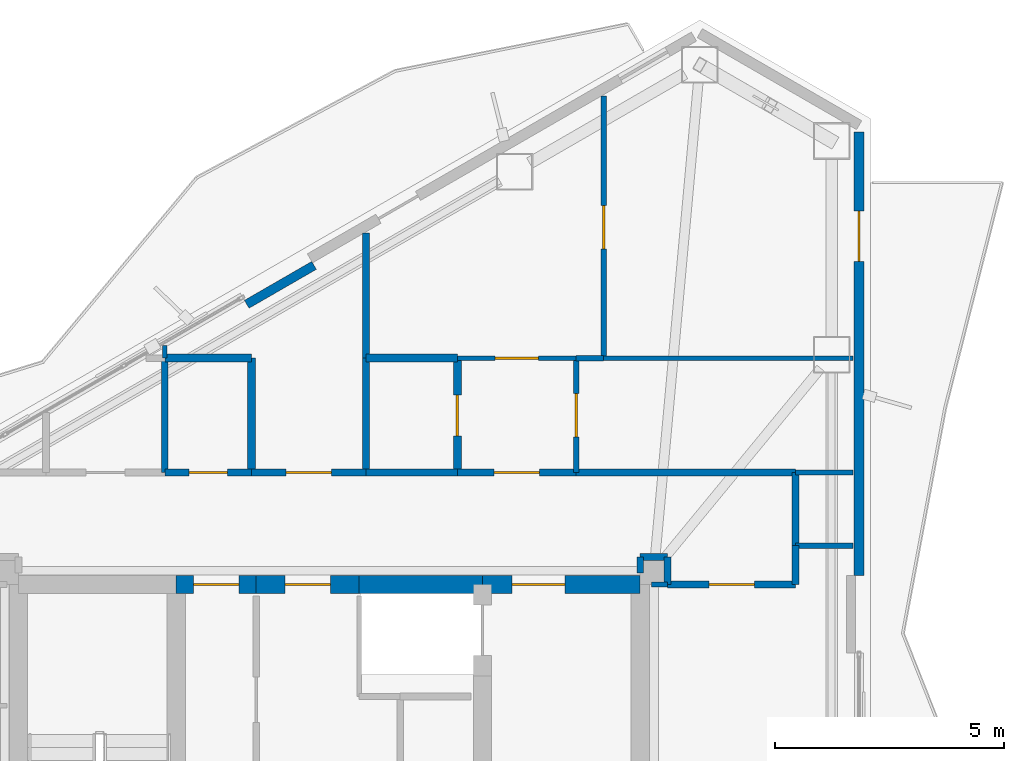
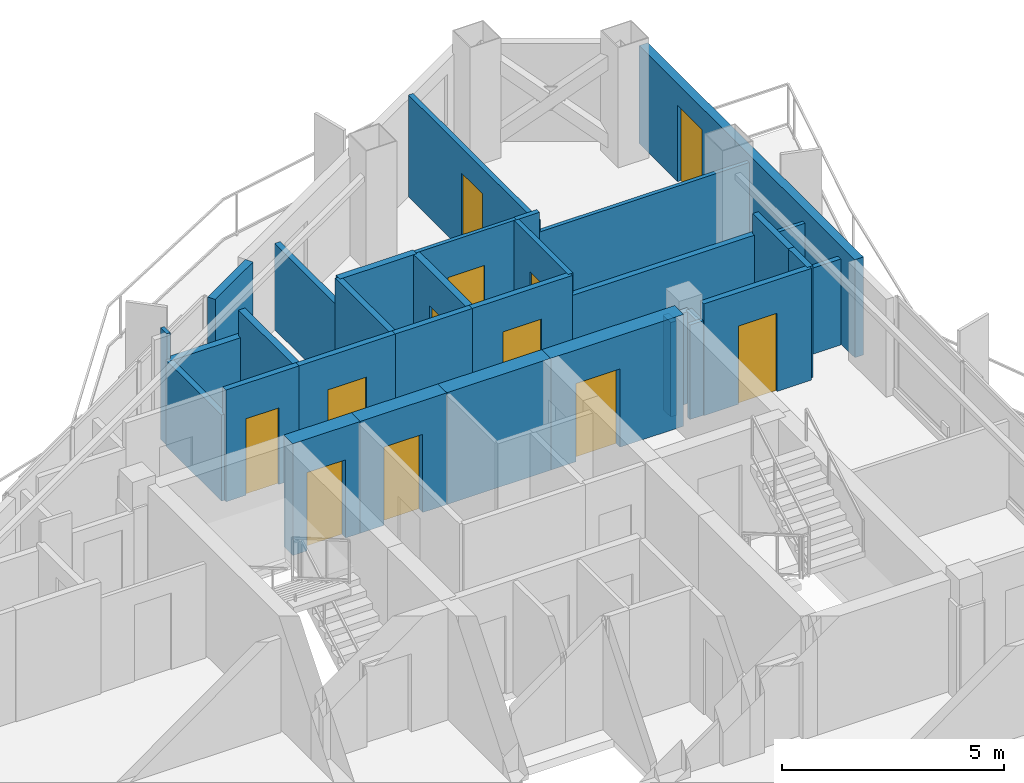
# One storey, part 19 of 22: 33 walls, 12 doors, 12 openings.
"""IFC4 building model written with IfcOpenShell, lengths in metres."""

from ifc_helpers import new_model, si_unit, direction, frame, frame_2d, origin, place, context, subcontext, project, spatial, rectangle, extrude, material, layer, layer_set, type_object, element, fill, save


model = new_model("IFC4")

# Units and contexts
model_context = context("Model", 3, precision=1e-05, world=origin(), true_north=direction((0.0, 1.0)))
body_context = subcontext(model_context, "Body", "Model", "MODEL_VIEW")
ifc_project = project(units=[si_unit("LENGTHUNIT", "METRE"), si_unit("AREAUNIT", "SQUARE_METRE"), si_unit("VOLUMEUNIT", "CUBIC_METRE"), si_unit("PLANEANGLEUNIT", "RADIAN"), si_unit("MASSUNIT", "GRAM", prefix="KILO")], contexts=[model_context])

# Site, building, storey
site_placement = place(None, origin())
site = spatial("IfcSite", under=ifc_project, at=site_placement, CompositionType="ELEMENT")
building_placement = place(site_placement, origin())
building = spatial("IfcBuilding", under=site, at=building_placement, Name="Mersakhor Tower and Convention Hall", CompositionType="ELEMENT")
storey_placement = place(building_placement, frame((0.0, 0.0, 198.60009765625)))
storey = spatial("IfcBuildingStorey", under=building, at=storey_placement, Name="L55", CompositionType="ELEMENT", Elevation=198.60009765625)

# Wall, opening, door
ifc_material_1 = material(Name="Precast concrete C40/50", Category="concrete")
ifc_layer_1 = layer(ifc_material_1, 0.22509765625)
ifc_layer_set_1 = layer_set([ifc_layer_1], Name="Precast concrete C40/50")
wall_type_1 = type_object("IfcWallType", Name="WL-EXT-225", PredefinedType="SOLIDWALL", material=ifc_layer_set_1)
wall_1_placement = place(storey_placement, frame((40.58837890625, 42.6484375, 0.0), z_axis=(0.0, 0.0, 1.0), x_axis=(0.0, -1.0, 0.0)))
wall_1 = element("IfcWall", 1, at=wall_1_placement, inside=storey, type_object=wall_type_1, Name="L55 Exterior Facade Wall F2-B1", PredefinedType="SOLIDWALL", context=body_context, shape_type="SweptSolid", body=[
    extrude(rectangle(XDim=9.698974609375, YDim=0.22509765625, at=frame_2d((4.849609375, 0.0))), origin(), (0.0, 0.0, 1.0), 2.68994140625),
])
opening_1_placement = place(wall_1_placement, frame((1.72998046875, 0.0, 0.0)))
opening_1 = element("IfcOpeningElement", 2, at=opening_1_placement, cuts=wall_1, Name="Opening BD-02", PredefinedType="OPENING", context=body_context, shape_type="SweptSolid", body=[
    extrude(rectangle(XDim=1.10009765625, YDim=2.10009765625, at=frame_2d((0.550048828125, 1.050048828125))), frame((0.0, 0.12255859375, 0.0), z_axis=(0.0, -1.0, 0.0), x_axis=(1.0, 0.0, 0.0)), (0.0, 0.0, 1.0), 0.2451171875),
])
ifc_material_2 = material(Name="Thermally broken dark aluminium and safety glass", Category="aluminium")
door_type_1 = type_object("IfcDoorType", Name="DR-BAL-110x210", OperationType="NOTDEFINED", PredefinedType="DOOR", material=ifc_material_2)
door_1_placement = place(opening_1_placement, origin())
door_1 = element("IfcDoor", 3, at=door_1_placement, inside=storey, type_object=door_type_1, Name="L55 Balcony Terrace Door F2-B1", OperationType="SINGLE_SWING_RIGHT", OverallHeight=2.10009765625, OverallWidth=1.10009765625, PredefinedType="DOOR", context=body_context, shape_type="SweptSolid", body=[
    extrude(rectangle(XDim=1.10009765625, YDim=2.10009765625, at=frame_2d((0.550048828125, 1.050048828125))), frame((0.0, 0.02490234375, 0.0), z_axis=(0.0, -1.0, 0.0), x_axis=(1.0, 0.0, 0.0)), (0.0, 0.0, 1.0), 0.050048828125),
])
fill(opening_1, door_1)

# Wall
ifc_material_3 = material(Name="Precast concrete C40/50", Category="concrete")
ifc_layer_2 = layer(ifc_material_3, 0.199951171875)
ifc_layer_set_2 = layer_set([ifc_layer_2], Name="Precast concrete C40/50")
wall_type_2 = type_object("IfcWallType", Name="WL-PAR-200", PredefinedType="PARAPET", material=ifc_layer_set_2)
wall_2_placement = place(storey_placement, frame((27.1923828125, 38.879638671875, 0.0), z_axis=(0.0, 0.0, 1.0), x_axis=(0.866025371046, 0.500000056704, 0.0)))
element("IfcWall", 4, at=wall_2_placement, inside=storey, type_object=wall_type_2, Name="L55 Column Pier Cladding Wall F1-C2", PredefinedType="PARAPET", context=body_context, shape_type="SweptSolid", body=[
    extrude(rectangle(XDim=1.7001953125, YDim=0.199951171875, at=frame_2d((0.85009765625, 0.0))), origin(), (0.0, 0.0, 1.0), 2.68994140625),
])

# Wall, opening, door
ifc_material_4 = material(Name="Moisture-resistant acoustic drywall studwork", Category="other")
ifc_layer_3 = layer(ifc_material_4, 0.175048828125)
ifc_layer_set_3 = layer_set([ifc_layer_3], Name="Moisture-resistant acoustic drywall studwork")
wall_type_3 = type_object("IfcWallType", Name="WL-PLM-175", PredefinedType="PLUMBINGWALL", material=ifc_layer_set_3)
wall_3_placement = place(storey_placement, frame((31.800048828125, 35.199951171875, 0.0), z_axis=(0.0, 0.0, 1.0), x_axis=(0.0, 1.0, 0.0)))
wall_3 = element("IfcWall", 5, at=wall_3_placement, inside=storey, type_object=wall_type_3, Name="L55 Interior Partition Wall P-052", PredefinedType="PLUMBINGWALL", context=body_context, shape_type="SweptSolid", body=[
    extrude(rectangle(XDim=2.5, YDim=0.175048828125, at=frame_2d((1.25, 0.0))), origin(), (0.0, 0.0, 1.0), 3.06982421875),
])
opening_2_placement = place(wall_3_placement, frame((0.800048828125, 0.0, 0.0)))
opening_2 = element("IfcOpeningElement", 6, at=opening_2_placement, cuts=wall_3, Name="Opening WD-01", PredefinedType="OPENING", context=body_context, shape_type="SweptSolid", body=[
    extrude(rectangle(XDim=0.89990234375, YDim=2.10009765625, at=frame_2d((0.449951171875, 1.050048828125))), frame((0.0, 0.097412109375, 0.0), z_axis=(0.0, -1.0, 0.0), x_axis=(1.0, 0.0, 0.0)), (0.0, 0.0, 1.0), 0.195068359375),
])
ifc_material_5 = material(Name="Solid-core hardwood leaf in painted steel frame", Category="steel")
door_type_2 = type_object("IfcDoorType", Name="DR-INT-WET-090x210", OperationType="NOTDEFINED", PredefinedType="DOOR", material=ifc_material_5)
door_2_placement = place(opening_2_placement, origin())
door_2 = element("IfcDoor", 7, at=door_2_placement, inside=storey, type_object=door_type_2, Name="L55 L55 Flat N2 Apartment Hall to L55 Flat N2 Bathroom Door", OperationType="SINGLE_SWING_LEFT", OverallHeight=2.10009765625, OverallWidth=0.89990234375, PredefinedType="DOOR", context=body_context, shape_type="SweptSolid", body=[
    extrude(rectangle(XDim=0.89990234375, YDim=2.10009765625, at=frame_2d((0.449951171875, 1.050048828125))), frame((0.0, 0.02490234375, 0.0), z_axis=(0.0, -1.0, 0.0), x_axis=(1.0, 0.0, 0.0)), (0.0, 0.0, 1.0), 0.050048828125),
])
fill(opening_2, door_2)

# Walls
wall_4_placement = place(storey_placement, frame((25.39990234375, 37.699951171875, 0.0), z_axis=(0.0, 0.0, 1.0), x_axis=(1.0, 0.0, 0.0)))
element("IfcWall", 8, at=wall_4_placement, inside=storey, type_object=wall_type_3, Name="L55 Interior Partition Wall P-063", PredefinedType="PLUMBINGWALL", context=body_context, shape_type="SweptSolid", body=[
    extrude(rectangle(XDim=1.900146484375, YDim=0.175048828125, at=frame_2d((0.9501953125, 0.0))), origin(), (0.0, 0.0, 1.0), 2.364990234375),
])
wall_5_placement = place(storey_placement, frame((27.300048828125, 37.699951171875, 0.0), z_axis=(0.0, 0.0, 1.0), x_axis=(0.0, -1.0, 0.0)))
element("IfcWall", 9, at=wall_5_placement, inside=storey, type_object=wall_type_3, Name="L55 Interior Partition Wall P-064", PredefinedType="PLUMBINGWALL", context=body_context, shape_type="SweptSolid", body=[
    extrude(rectangle(XDim=2.5, YDim=0.175048828125, at=frame_2d((1.25, 0.0))), origin(), (0.0, 0.0, 1.0), 3.06982421875),
])
wall_6_placement = place(storey_placement, frame((29.800048828125, 37.699951171875, 0.0), z_axis=(0.0, 0.0, 1.0), x_axis=(1.0, 0.0, 0.0)))
element("IfcWall", 10, at=wall_6_placement, inside=storey, type_object=wall_type_3, Name="L55 Interior Partition Wall P-066", PredefinedType="PLUMBINGWALL", context=body_context, shape_type="SweptSolid", body=[
    extrude(rectangle(XDim=2.0, YDim=0.175048828125, at=frame_2d((1.0, 0.0))), origin(), (0.0, 0.0, 1.0), 3.06982421875),
])

# Wall, opening, door
ifc_material_6 = material(Name="Lightweight gypsum partition", Category="other")
ifc_layer_4 = layer(ifc_material_6, 0.10009765625)
ifc_layer_set_4 = layer_set([ifc_layer_4], Name="Lightweight gypsum partition")
wall_type_4 = type_object("IfcWallType", Name="WL-PRT-100", PredefinedType="PARTITIONING", material=ifc_layer_set_4)
wall_7_placement = place(storey_placement, frame((31.800048828125, 37.699951171875, 0.0), z_axis=(0.0, 0.0, 1.0), x_axis=(1.0, 0.0, 0.0)))
wall_7 = element("IfcWall", 11, at=wall_7_placement, inside=storey, type_object=wall_type_4, Name="L55 Interior Partition Wall P-050", PredefinedType="PARTITIONING", context=body_context, shape_type="SweptSolid", body=[
    extrude(rectangle(XDim=2.599853515625, YDim=0.10009765625, at=frame_2d((1.2998046875, 0.0))), origin(), (0.0, 0.0, 1.0), 3.06982421875),
])
opening_3_placement = place(wall_7_placement, frame((0.824951171875, 0.0, 0.0)))
opening_3 = element("IfcOpeningElement", 12, at=opening_3_placement, cuts=wall_7, Name="Opening RD-01", PredefinedType="OPENING", context=body_context, shape_type="SweptSolid", body=[
    extrude(rectangle(XDim=0.949951171875, YDim=2.10009765625, at=frame_2d((0.47509765625, 1.050048828125))), frame((0.0, 0.06005859375, 0.0), z_axis=(0.0, -1.0, 0.0), x_axis=(1.0, 0.0, 0.0)), (0.0, 0.0, 1.0), 0.1201171875),
])
ifc_material_7 = material(Name="Solid-core hardwood leaf in painted steel frame", Category="steel")
door_type_3 = type_object("IfcDoorType", Name="DR-INT-RM-095x210", OperationType="NOTDEFINED", PredefinedType="DOOR", material=ifc_material_7)
door_3_placement = place(opening_3_placement, origin())
door_3 = element("IfcDoor", 13, at=door_3_placement, inside=storey, type_object=door_type_3, Name="L55 L55 Flat N2 Apartment Hall to L55 Flat N2 Living and Dining Room Door", OperationType="SINGLE_SWING_LEFT", OverallHeight=2.10009765625, OverallWidth=0.949951171875, PredefinedType="DOOR", context=body_context, shape_type="SweptSolid", body=[
    extrude(rectangle(XDim=0.949951171875, YDim=2.10009765625, at=frame_2d((0.47509765625, 1.050048828125))), frame((0.0, 0.02490234375, 0.0), z_axis=(0.0, -1.0, 0.0), x_axis=(1.0, 0.0, 0.0)), (0.0, 0.0, 1.0), 0.050048828125),
])
fill(opening_3, door_3)

# Walls
wall_8_placement = place(storey_placement, frame((40.451904296875, 35.199951171875, 0.0), z_axis=(0.0, 0.0, 1.0), x_axis=(-1.0, 0.0, 0.0)))
element("IfcWall", 14, at=wall_8_placement, inside=storey, type_object=wall_type_4, Name="L55 Interior Partition Wall P-068", PredefinedType="PARTITIONING", context=body_context, shape_type="SweptSolid", body=[
    extrude(rectangle(XDim=1.251953125, YDim=0.10009765625, at=frame_2d((0.6259765625, 0.0))), origin(), (0.0, 0.0, 1.0), 2.364990234375),
])
wall_9_placement = place(storey_placement, frame((35.0, 37.699951171875, 0.0), z_axis=(0.0, 0.0, 1.0), x_axis=(1.0, 0.0, 0.0)))
element("IfcWall", 15, at=wall_9_placement, inside=storey, type_object=wall_type_4, Name="L55 Interior Partition Wall P-070", PredefinedType="PARTITIONING", context=body_context, shape_type="SweptSolid", body=[
    extrude(rectangle(XDim=5.451904296875, YDim=0.10009765625, at=frame_2d((2.72607421875, 0.0))), origin(), (0.0, 0.0, 1.0), 2.518310546875),
])
wall_10_placement = place(storey_placement, frame((36.050048828125, 32.75, 0.0), z_axis=(0.0, 0.0, 1.0), x_axis=(1.0, 0.0, 0.0)))
element("IfcWall", 16, at=wall_10_placement, inside=storey, type_object=wall_type_4, Name="L55 Interior Partition Wall P-090", PredefinedType="PARTITIONING", context=body_context, shape_type="SweptSolid", body=[
    extrude(rectangle(XDim=0.349853515625, YDim=0.10009765625, at=frame_2d((0.1748046875, 0.0))), origin(), (0.0, 0.0, 1.0), 2.594970703125),
])
wall_11_placement = place(storey_placement, frame((25.39990234375, 37.699951171875, 0.0), z_axis=(0.0, 0.0, 1.0), x_axis=(0.0, 1.0, 0.0)))
element("IfcWall", 17, at=wall_11_placement, inside=storey, type_object=wall_type_4, Name="L55 Interior Partition Wall P-098", PredefinedType="PARTITIONING", context=body_context, shape_type="SweptSolid", body=[
    extrude(rectangle(XDim=0.27880859375, YDim=0.10009765625, at=frame_2d((0.139404296875, 0.0))), origin(), (0.0, 0.0, 1.0), 3.06982421875),
])

# Wall, opening, door
ifc_material_8 = material(Name="Gypsum board acoustic partition", Category="other")
ifc_layer_5 = layer(ifc_material_8, 0.125)
ifc_layer_set_5 = layer_set([ifc_layer_5], Name="Gypsum board acoustic partition")
wall_type_5 = type_object("IfcWallType", Name="WL-PRT-125", PredefinedType="PARTITIONING", material=ifc_layer_set_5)
wall_12_placement = place(storey_placement, frame((34.39990234375, 37.699951171875, 0.0), z_axis=(0.0, 0.0, 1.0), x_axis=(0.0, -1.0, 0.0)))
wall_12 = element("IfcWall", 18, at=wall_12_placement, inside=storey, type_object=wall_type_5, Name="L55 Interior Partition Wall P-051", PredefinedType="PARTITIONING", context=body_context, shape_type="SweptSolid", body=[
    extrude(rectangle(XDim=2.5, YDim=0.125, at=frame_2d((1.25, 0.0))), origin(), (0.0, 0.0, 1.0), 3.06982421875),
])
opening_4_placement = place(wall_12_placement, frame((0.77490234375, 0.0, 0.0)))
opening_4 = element("IfcOpeningElement", 19, at=opening_4_placement, cuts=wall_12, Name="Opening RD-01", PredefinedType="OPENING", context=body_context, shape_type="SweptSolid", body=[
    extrude(rectangle(XDim=0.949951171875, YDim=2.10009765625, at=frame_2d((0.47509765625, 1.050048828125))), frame((0.0, 0.072509765625, 0.0), z_axis=(0.0, -1.0, 0.0), x_axis=(1.0, 0.0, 0.0)), (0.0, 0.0, 1.0), 0.14501953125),
])
door_4_placement = place(opening_4_placement, origin())
door_4 = element("IfcDoor", 20, at=door_4_placement, inside=storey, type_object=door_type_3, Name="L55 L55 Flat N2 Apartment Hall to L55 Flat N2 Kitchen Door", OperationType="SINGLE_SWING_RIGHT", OverallHeight=2.10009765625, OverallWidth=0.949951171875, PredefinedType="DOOR", context=body_context, shape_type="SweptSolid", body=[
    extrude(rectangle(XDim=0.949951171875, YDim=2.10009765625, at=frame_2d((0.47509765625, 1.050048828125))), frame((0.0, 0.02490234375, 0.0), z_axis=(0.0, -1.0, 0.0), x_axis=(1.0, 0.0, 0.0)), (0.0, 0.0, 1.0), 0.050048828125),
])
fill(opening_4, door_4)

# Walls
wall_13_placement = place(storey_placement, frame((34.39990234375, 37.699951171875, 0.0), z_axis=(0.0, 0.0, 1.0), x_axis=(1.0, 0.0, 0.0)))
element("IfcWall", 21, at=wall_13_placement, inside=storey, type_object=wall_type_5, Name="L55 Interior Partition Wall P-069", PredefinedType="PARTITIONING", context=body_context, shape_type="SweptSolid", body=[
    extrude(rectangle(XDim=0.60009765625, YDim=0.125, at=frame_2d((0.300048828125, 0.0))), origin(), (0.0, 0.0, 1.0), 3.06982421875),
])
wall_14_placement = place(storey_placement, frame((39.199951171875, 33.60009765625, 0.0), z_axis=(0.0, 0.0, 1.0), x_axis=(1.0, 0.0, 0.0)))
element("IfcWall", 22, at=wall_14_placement, inside=storey, type_object=wall_type_5, Name="L55 Interior Partition Wall P-091", PredefinedType="PARTITIONING", context=body_context, shape_type="SweptSolid", body=[
    extrude(rectangle(XDim=1.251953125, YDim=0.125, at=frame_2d((0.6259765625, 0.0))), origin(), (0.0, 0.0, 1.0), 2.364990234375),
])

# Wall, opening, door
wall_15_placement = place(storey_placement, frame((35.0, 43.4375, 0.0), z_axis=(0.0, 0.0, 1.0), x_axis=(0.0, -1.0, 0.0)))
wall_15 = element("IfcWall", 23, at=wall_15_placement, inside=storey, type_object=wall_type_5, Name="L55 Interior Partition Wall P-099", PredefinedType="PARTITIONING", context=body_context, shape_type="SweptSolid", body=[
    extrude(rectangle(XDim=5.737548828125, YDim=0.125, at=frame_2d((2.86865234375, 0.0))), origin(), (0.0, 0.0, 1.0), 2.794677734375),
])
opening_5_placement = place(wall_15_placement, frame((2.393798828125, 0.0, 0.0)))
opening_5 = element("IfcOpeningElement", 24, at=opening_5_placement, cuts=wall_15, Name="Opening RD-01", PredefinedType="OPENING", context=body_context, shape_type="SweptSolid", body=[
    extrude(rectangle(XDim=0.949951171875, YDim=2.10009765625, at=frame_2d((0.47509765625, 1.050048828125))), frame((0.0, 0.072509765625, 0.0), z_axis=(0.0, -1.0, 0.0), x_axis=(1.0, 0.0, 0.0)), (0.0, 0.0, 1.0), 0.14501953125),
])
door_5_placement = place(opening_5_placement, origin())
door_5 = element("IfcDoor", 25, at=door_5_placement, inside=storey, type_object=door_type_3, Name="L55 L55 Flat N2 Living and Dining Room to L55 Flat N2 Bedroom 1 Door", OperationType="SINGLE_SWING_RIGHT", OverallHeight=2.10009765625, OverallWidth=0.949951171875, PredefinedType="DOOR", context=body_context, shape_type="SweptSolid", body=[
    extrude(rectangle(XDim=0.949951171875, YDim=2.10009765625, at=frame_2d((0.47509765625, 1.050048828125))), frame((0.0, 0.02490234375, 0.0), z_axis=(0.0, -1.0, 0.0), x_axis=(1.0, 0.0, 0.0)), (0.0, 0.0, 1.0), 0.050048828125),
])
fill(opening_5, door_5)

# Walls
ifc_material_9 = material(Name="Fire-rated gypsum board stud partition", Category="other")
ifc_layer_6 = layer(ifc_material_9, 0.14990234375)
ifc_layer_set_6 = layer_set([ifc_layer_6], Name="Fire-rated gypsum board stud partition")
wall_type_6 = type_object("IfcWallType", Name="WL-PRT-150", PredefinedType="PARTITIONING", material=ifc_layer_set_6)
wall_16_placement = place(storey_placement, frame((39.199951171875, 35.199951171875, 0.0), z_axis=(0.0, 0.0, 1.0), x_axis=(0.0, -1.0, 0.0)))
element("IfcWall", 26, at=wall_16_placement, inside=storey, type_object=wall_type_6, Name="L55 Interior Partition Wall P-016", PredefinedType="PARTITIONING", context=body_context, shape_type="SweptSolid", body=[
    extrude(rectangle(XDim=1.599853515625, YDim=0.14990234375, at=frame_2d((0.7998046875, 0.0))), origin(), (0.0, 0.0, 1.0), 3.06982421875),
])
wall_17_placement = place(storey_placement, frame((39.199951171875, 33.60009765625, 0.0), z_axis=(0.0, 0.0, 1.0), x_axis=(0.0, -1.0, 0.0)))
element("IfcWall", 27, at=wall_17_placement, inside=storey, type_object=wall_type_6, Name="L55 Interior Partition Wall P-017", PredefinedType="PARTITIONING", context=body_context, shape_type="SweptSolid", body=[
    extrude(rectangle(XDim=0.85009765625, YDim=0.14990234375, at=frame_2d((0.425048828125, 0.0))), origin(), (0.0, 0.0, 1.0), 3.06982421875),
])

# Wall, opening, door
wall_18_placement = place(storey_placement, frame((39.199951171875, 32.75, 0.0), z_axis=(0.0, 0.0, 1.0), x_axis=(-1.0, 0.0, 0.0)))
wall_18 = element("IfcWall", 28, at=wall_18_placement, inside=storey, type_object=wall_type_6, Name="L55 Interior Partition Wall P-018", PredefinedType="PARTITIONING", context=body_context, shape_type="SweptSolid", body=[
    extrude(rectangle(XDim=2.800048828125, YDim=0.14990234375, at=frame_2d((1.39990234375, 0.0))), origin(), (0.0, 0.0, 1.0), 3.06982421875),
])
opening_6_placement = place(wall_18_placement, frame((0.89990234375, 0.0, 0.0)))
opening_6 = element("IfcOpeningElement", 29, at=opening_6_placement, cuts=wall_18, Name="Opening FD-01", PredefinedType="OPENING", context=body_context, shape_type="SweptSolid", body=[
    extrude(rectangle(XDim=1.0, YDim=2.14990234375, at=frame_2d((0.5, 1.074951171875))), frame((0.0, 0.0849609375, 0.0), z_axis=(0.0, -1.0, 0.0), x_axis=(1.0, 0.0, 0.0)), (0.0, 0.0, 1.0), 0.169921875),
])
ifc_material_10 = material(Name="Fire-rated hardwood leaf and painted steel frame", Category="steel")
door_type_4 = type_object("IfcDoorType", Name="DR-INT-FLT-100x215", OperationType="NOTDEFINED", PredefinedType="DOOR", material=ifc_material_10)
door_6_placement = place(opening_6_placement, origin())
door_6 = element("IfcDoor", 30, at=door_6_placement, inside=storey, type_object=door_type_4, Name="L55 Residential North Gallery Corridor to L55 East Wing Sky Study Room Door", OperationType="SINGLE_SWING_RIGHT", OverallHeight=2.14990234375, OverallWidth=1.0, PredefinedType="DOOR", context=body_context, shape_type="SweptSolid", body=[
    extrude(rectangle(XDim=1.0, YDim=2.14990234375, at=frame_2d((0.5, 1.074951171875))), frame((0.0, 0.02490234375, 0.0), z_axis=(0.0, -1.0, 0.0), x_axis=(1.0, 0.0, 0.0)), (0.0, 0.0, 1.0), 0.050048828125),
])
fill(opening_6, door_6)

# Walls
wall_19_placement = place(storey_placement, frame((36.39990234375, 32.75, 0.0), z_axis=(0.0, 0.0, 1.0), x_axis=(0.0, 1.0, 0.0)))
element("IfcWall", 31, at=wall_19_placement, inside=storey, type_object=wall_type_6, Name="L55 Interior Partition Wall P-019", PredefinedType="PARTITIONING", context=body_context, shape_type="SweptSolid", body=[
    extrude(rectangle(XDim=0.60009765625, YDim=0.14990234375, at=frame_2d((0.300048828125, 0.0))), origin(), (0.0, 0.0, 1.0), 2.518310546875),
])
wall_20_placement = place(storey_placement, frame((36.39990234375, 33.35009765625, 0.0), z_axis=(0.0, 0.0, 1.0), x_axis=(-1.0, 0.0, 0.0)))
element("IfcWall", 32, at=wall_20_placement, inside=storey, type_object=wall_type_6, Name="L55 Interior Partition Wall P-020", PredefinedType="PARTITIONING", context=body_context, shape_type="SweptSolid", body=[
    extrude(rectangle(XDim=0.599853515625, YDim=0.14990234375, at=frame_2d((0.2998046875, 0.0))), origin(), (0.0, 0.0, 1.0), 2.518310546875),
])
wall_21_placement = place(storey_placement, frame((35.800048828125, 33.35009765625, 0.0), z_axis=(0.0, 0.0, 1.0), x_axis=(0.0, -1.0, 0.0)))
element("IfcWall", 33, at=wall_21_placement, inside=storey, type_object=wall_type_6, Name="L55 Interior Partition Wall P-021", PredefinedType="PARTITIONING", context=body_context, shape_type="SweptSolid", body=[
    extrude(rectangle(XDim=0.35009765625, YDim=0.14990234375, at=frame_2d((0.175048828125, 0.0))), origin(), (0.0, 0.0, 1.0), 2.594970703125),
])

# Wall, opening, door
wall_22_placement = place(storey_placement, frame((25.39990234375, 35.199951171875, 0.0), z_axis=(0.0, 0.0, 1.0), x_axis=(1.0, 0.0, 0.0)))
wall_22 = element("IfcWall", 34, at=wall_22_placement, inside=storey, type_object=wall_type_6, Name="L55 Interior Partition Wall P-029", PredefinedType="PARTITIONING", context=body_context, shape_type="SweptSolid", body=[
    extrude(rectangle(XDim=1.900146484375, YDim=0.14990234375, at=frame_2d((0.9501953125, 0.0))), origin(), (0.0, 0.0, 1.0), 3.06982421875),
])
opening_7_placement = place(wall_22_placement, frame((0.52490234375, 0.0, 0.0)))
opening_7 = element("IfcOpeningElement", 35, at=opening_7_placement, cuts=wall_22, Name="Opening SVD-01", PredefinedType="OPENING", context=body_context, shape_type="SweptSolid", body=[
    extrude(rectangle(XDim=0.85009765625, YDim=2.10009765625, at=frame_2d((0.425048828125, 1.050048828125))), frame((0.0, 0.0849609375, 0.0), z_axis=(0.0, -1.0, 0.0), x_axis=(1.0, 0.0, 0.0)), (0.0, 0.0, 1.0), 0.169921875),
])
ifc_material_11 = material(Name="Fire-rated hardwood leaf and painted steel frame", Category="steel")
door_type_5 = type_object("IfcDoorType", Name="DR-INT-SVC-085x210", OperationType="NOTDEFINED", PredefinedType="DOOR", material=ifc_material_11)
door_7_placement = place(opening_7_placement, origin())
door_7 = element("IfcDoor", 36, at=door_7_placement, inside=storey, type_object=door_type_5, Name="L55 Residential North Gallery Corridor to L55 Floor Shared Restroom WC 1-2 Door", OperationType="SINGLE_SWING_RIGHT", OverallHeight=2.10009765625, OverallWidth=0.85009765625, PredefinedType="DOOR", context=body_context, shape_type="SweptSolid", body=[
    extrude(rectangle(XDim=0.85009765625, YDim=2.10009765625, at=frame_2d((0.425048828125, 1.050048828125))), frame((0.0, 0.02490234375, 0.0), z_axis=(0.0, -1.0, 0.0), x_axis=(1.0, 0.0, 0.0)), (0.0, 0.0, 1.0), 0.050048828125),
])
fill(opening_7, door_7)

wall_23_placement = place(storey_placement, frame((27.300048828125, 35.199951171875, 0.0), z_axis=(0.0, 0.0, 1.0), x_axis=(1.0, 0.0, 0.0)))
wall_23 = element("IfcWall", 37, at=wall_23_placement, inside=storey, type_object=wall_type_6, Name="L55 Interior Partition Wall P-030", PredefinedType="PARTITIONING", context=body_context, shape_type="SweptSolid", body=[
    extrude(rectangle(XDim=2.5, YDim=0.14990234375, at=frame_2d((1.25, 0.0))), origin(), (0.0, 0.0, 1.0), 3.06982421875),
])
opening_8_placement = place(wall_23_placement, frame((0.75, 0.0, 0.0)))
opening_8 = element("IfcOpeningElement", 38, at=opening_8_placement, cuts=wall_23, Name="Opening FD-01", PredefinedType="OPENING", context=body_context, shape_type="SweptSolid", body=[
    extrude(rectangle(XDim=1.0, YDim=2.14990234375, at=frame_2d((0.5, 1.074951171875))), frame((0.0, 0.0849609375, 0.0), z_axis=(0.0, -1.0, 0.0), x_axis=(1.0, 0.0, 0.0)), (0.0, 0.0, 1.0), 0.169921875),
])
door_8_placement = place(opening_8_placement, origin())
door_8 = element("IfcDoor", 39, at=door_8_placement, inside=storey, type_object=door_type_4, Name="L55 Residential North Gallery Corridor to L55 Floor Residents Study Room 1-3 Door", OperationType="SINGLE_SWING_RIGHT", OverallHeight=2.14990234375, OverallWidth=1.0, PredefinedType="DOOR", context=body_context, shape_type="SweptSolid", body=[
    extrude(rectangle(XDim=1.0, YDim=2.14990234375, at=frame_2d((0.5, 1.074951171875))), frame((0.0, 0.02490234375, 0.0), z_axis=(0.0, -1.0, 0.0), x_axis=(1.0, 0.0, 0.0)), (0.0, 0.0, 1.0), 0.050048828125),
])
fill(opening_8, door_8)

# Wall
wall_24_placement = place(storey_placement, frame((29.800048828125, 35.199951171875, 0.0), z_axis=(0.0, 0.0, 1.0), x_axis=(1.0, 0.0, 0.0)))
element("IfcWall", 40, at=wall_24_placement, inside=storey, type_object=wall_type_6, Name="L55 Interior Partition Wall P-031", PredefinedType="PARTITIONING", context=body_context, shape_type="SweptSolid", body=[
    extrude(rectangle(XDim=2.0, YDim=0.14990234375, at=frame_2d((1.0, 0.0))), origin(), (0.0, 0.0, 1.0), 3.06982421875),
])

# Wall, opening, door
wall_25_placement = place(storey_placement, frame((31.800048828125, 35.199951171875, 0.0), z_axis=(0.0, 0.0, 1.0), x_axis=(1.0, 0.0, 0.0)))
wall_25 = element("IfcWall", 41, at=wall_25_placement, inside=storey, type_object=wall_type_6, Name="L55 Interior Partition Wall P-032", PredefinedType="PARTITIONING", context=body_context, shape_type="SweptSolid", body=[
    extrude(rectangle(XDim=2.599853515625, YDim=0.14990234375, at=frame_2d((1.2998046875, 0.0))), origin(), (0.0, 0.0, 1.0), 3.06982421875),
])
opening_9_placement = place(wall_25_placement, frame((0.800048828125, 0.0, 0.0)))
opening_9 = element("IfcOpeningElement", 42, at=opening_9_placement, cuts=wall_25, Name="Opening FD-01", PredefinedType="OPENING", context=body_context, shape_type="SweptSolid", body=[
    extrude(rectangle(XDim=1.0, YDim=2.14990234375, at=frame_2d((0.5, 1.074951171875))), frame((0.0, 0.0849609375, 0.0), z_axis=(0.0, -1.0, 0.0), x_axis=(1.0, 0.0, 0.0)), (0.0, 0.0, 1.0), 0.169921875),
])
door_9_placement = place(opening_9_placement, origin())
door_9 = element("IfcDoor", 43, at=door_9_placement, inside=storey, type_object=door_type_4, Name="L55 Apartment Entrance Door (Residential North Gallery Corridor to L55 Flat N2 Apartment Hall)", OperationType="SINGLE_SWING_RIGHT", OverallHeight=2.14990234375, OverallWidth=1.0, PredefinedType="DOOR", context=body_context, shape_type="SweptSolid", body=[
    extrude(rectangle(XDim=1.0, YDim=2.14990234375, at=frame_2d((0.5, 1.074951171875))), frame((0.0, 0.02490234375, 0.0), z_axis=(0.0, -1.0, 0.0), x_axis=(1.0, 0.0, 0.0)), (0.0, 0.0, 1.0), 0.050048828125),
])
fill(opening_9, door_9)

# Walls
wall_26_placement = place(storey_placement, frame((34.39990234375, 35.199951171875, 0.0), z_axis=(0.0, 0.0, 1.0), x_axis=(1.0, 0.0, 0.0)))
element("IfcWall", 44, at=wall_26_placement, inside=storey, type_object=wall_type_6, Name="L55 Interior Partition Wall P-033", PredefinedType="PARTITIONING", context=body_context, shape_type="SweptSolid", body=[
    extrude(rectangle(XDim=4.800048828125, YDim=0.14990234375, at=frame_2d((2.39990234375, 0.0))), origin(), (0.0, 0.0, 1.0), 2.518310546875),
])
wall_27_placement = place(storey_placement, frame((25.39990234375, 35.199951171875, 0.0), z_axis=(0.0, 0.0, 1.0), x_axis=(0.0, 1.0, 0.0)))
element("IfcWall", 45, at=wall_27_placement, inside=storey, type_object=wall_type_6, Name="L55 Interior Partition Wall P-065", PredefinedType="PARTITIONING", context=body_context, shape_type="SweptSolid", body=[
    extrude(rectangle(XDim=2.5, YDim=0.14990234375, at=frame_2d((1.25, 0.0))), origin(), (0.0, 0.0, 1.0), 2.364990234375),
])
wall_28_placement = place(storey_placement, frame((29.800048828125, 35.199951171875, 0.0), z_axis=(0.0, 0.0, 1.0), x_axis=(0.0, 1.0, 0.0)))
element("IfcWall", 46, at=wall_28_placement, inside=storey, type_object=wall_type_6, Name="L55 Interior Partition Wall P-067", PredefinedType="PARTITIONING", context=body_context, shape_type="SweptSolid", body=[
    extrude(rectangle(XDim=2.5, YDim=0.14990234375, at=frame_2d((1.25, 0.0))), origin(), (0.0, 0.0, 1.0), 3.06982421875),
])
wall_29_placement = place(storey_placement, frame((29.800048828125, 40.435302734375, 0.0), z_axis=(0.0, 0.0, 1.0), x_axis=(0.0, -1.0, 0.0)))
element("IfcWall", 47, at=wall_29_placement, inside=storey, type_object=wall_type_6, Name="L55 Interior Partition Wall P-097", PredefinedType="PARTITIONING", context=body_context, shape_type="SweptSolid", body=[
    extrude(rectangle(XDim=2.7353515625, YDim=0.14990234375, at=frame_2d((1.36767578125, 0.0))), origin(), (0.0, 0.0, 1.0), 2.364990234375),
])

# Wall, opening, door
ifc_material_12 = material(Name="Concrete C60/75", Category="concrete")
ifc_layer_7 = layer(ifc_material_12, 0.39990234375)
ifc_layer_set_7 = layer_set([ifc_layer_7], Name="Concrete C60/75")
wall_type_7 = type_object("IfcWallType", Name="WL-SHR-400", PredefinedType="SHEAR", material=ifc_layer_set_7)
wall_30_placement = place(storey_placement, frame((25.64990234375, 32.75, 0.0), z_axis=(0.0, 0.0, 1.0), x_axis=(1.0, 0.0, 0.0)))
wall_30 = element("IfcWall", 48, at=wall_30_placement, inside=storey, type_object=wall_type_7, Name="L55 Core Wall CW-N2A", PredefinedType="SHEAR", context=body_context, shape_type="SweptSolid", body=[
    extrude(rectangle(XDim=1.75, YDim=0.39990234375, at=frame_2d((0.875, 0.0))), origin(), (0.0, 0.0, 1.0), 3.06982421875),
])
opening_10_placement = place(wall_30_placement, frame((0.375, 0.0, 0.0)))
opening_10 = element("IfcOpeningElement", 49, at=opening_10_placement, cuts=wall_30, Name="Opening CFD-01", PredefinedType="OPENING", context=body_context, shape_type="SweptSolid", body=[
    extrude(rectangle(XDim=1.0, YDim=2.14990234375, at=frame_2d((0.5, 1.074951171875))), frame((0.0, 0.2099609375, 0.0), z_axis=(0.0, -1.0, 0.0), x_axis=(1.0, 0.0, 0.0)), (0.0, 0.0, 1.0), 0.419921875),
])
ifc_material_13 = material(Name="Fire-rated hardwood leaf and painted steel frame", Category="steel")
door_type_6 = type_object("IfcDoorType", Name="DR-CORE-FD-100x215", OperationType="NOTDEFINED", PredefinedType="DOOR", material=ifc_material_13)
door_10_placement = place(opening_10_placement, origin())
door_10 = element("IfcDoor", 50, at=door_10_placement, inside=storey, type_object=door_type_6, Name="L55 Lift Lobby North Corridor Door", OperationType="SINGLE_SWING_LEFT", OverallHeight=2.14990234375, OverallWidth=1.0, PredefinedType="DOOR", context=body_context, shape_type="SweptSolid", body=[
    extrude(rectangle(XDim=1.0, YDim=2.14990234375, at=frame_2d((0.5, 1.074951171875))), frame((0.0, 0.02490234375, 0.0), z_axis=(0.0, -1.0, 0.0), x_axis=(1.0, 0.0, 0.0)), (0.0, 0.0, 1.0), 0.050048828125),
])
fill(opening_10, door_10)

wall_31_placement = place(storey_placement, frame((27.39990234375, 32.75, 0.0), z_axis=(0.0, 0.0, 1.0), x_axis=(1.0, 0.0, 0.0)))
wall_31 = element("IfcWall", 51, at=wall_31_placement, inside=storey, type_object=wall_type_7, Name="L55 Core Wall CW-N2B", PredefinedType="SHEAR", context=body_context, shape_type="SweptSolid", body=[
    extrude(rectangle(XDim=2.25, YDim=0.39990234375, at=frame_2d((1.125, 0.0))), origin(), (0.0, 0.0, 1.0), 3.06982421875),
])
opening_11_placement = place(wall_31_placement, frame((0.625, 0.0, 0.0)))
opening_11 = element("IfcOpeningElement", 52, at=opening_11_placement, cuts=wall_31, Name="Opening FD-01", PredefinedType="OPENING", context=body_context, shape_type="SweptSolid", body=[
    extrude(rectangle(XDim=1.0, YDim=2.14990234375, at=frame_2d((0.5, 1.074951171875))), frame((0.0, 0.2099609375, 0.0), z_axis=(0.0, -1.0, 0.0), x_axis=(1.0, 0.0, 0.0)), (0.0, 0.0, 1.0), 0.419921875),
])
door_11_placement = place(opening_11_placement, origin())
door_11 = element("IfcDoor", 53, at=door_11_placement, inside=storey, type_object=door_type_4, Name="L55 Residential North Gallery Corridor to Quiet Core Study Room Door", OperationType="SINGLE_SWING_LEFT", OverallHeight=2.14990234375, OverallWidth=1.0, PredefinedType="DOOR", context=body_context, shape_type="SweptSolid", body=[
    extrude(rectangle(XDim=1.0, YDim=2.14990234375, at=frame_2d((0.5, 1.074951171875))), frame((0.0, 0.02490234375, 0.0), z_axis=(0.0, -1.0, 0.0), x_axis=(1.0, 0.0, 0.0)), (0.0, 0.0, 1.0), 0.050048828125),
])
fill(opening_11, door_11)

# Wall
wall_32_placement = place(storey_placement, frame((29.64990234375, 32.75, 0.0), z_axis=(0.0, 0.0, 1.0), x_axis=(1.0, 0.0, 0.0)))
element("IfcWall", 54, at=wall_32_placement, inside=storey, type_object=wall_type_7, Name="L55 Core Wall CW-N3", PredefinedType="SHEAR", context=body_context, shape_type="SweptSolid", body=[
    extrude(rectangle(XDim=2.7001953125, YDim=0.39990234375, at=frame_2d((1.35009765625, 0.0))), origin(), (0.0, 0.0, 1.0), 3.06982421875),
])

# Wall, opening, door
wall_33_placement = place(storey_placement, frame((32.35009765625, 32.75, 0.0), z_axis=(0.0, 0.0, 1.0), x_axis=(1.0, 0.0, 0.0)))
wall_33 = element("IfcWall", 55, at=wall_33_placement, inside=storey, type_object=wall_type_7, Name="L55 Core Wall CW-N4", PredefinedType="SHEAR", context=body_context, shape_type="SweptSolid", body=[
    extrude(rectangle(XDim=3.449951171875, YDim=0.39990234375, at=frame_2d((1.72509765625, 0.0))), origin(), (0.0, 0.0, 1.0), 3.06982421875),
])
opening_12_placement = place(wall_33_placement, frame((0.64990234375, 0.0, 0.0)))
opening_12 = element("IfcOpeningElement", 56, at=opening_12_placement, cuts=wall_33, Name="Opening SD-01", PredefinedType="OPENING", context=body_context, shape_type="SweptSolid", body=[
    extrude(rectangle(XDim=1.14990234375, YDim=2.14990234375, at=frame_2d((0.574951171875, 1.074951171875))), frame((0.0, 0.2099609375, 0.0), z_axis=(0.0, -1.0, 0.0), x_axis=(1.0, 0.0, 0.0)), (0.0, 0.0, 1.0), 0.419921875),
])
ifc_material_14 = material(Name="Fire-rated hardwood leaf and painted steel frame", Category="steel")
door_type_7 = type_object("IfcDoorType", Name="DR-INT-STAIR-115x215", OperationType="NOTDEFINED", PredefinedType="DOOR", material=ifc_material_14)
door_12_placement = place(opening_12_placement, origin())
door_12 = element("IfcDoor", 57, at=door_12_placement, inside=storey, type_object=door_type_7, Name="L55 Firefighting Lobby East Fire Door", OperationType="SINGLE_SWING_RIGHT", OverallHeight=2.14990234375, OverallWidth=1.14990234375, PredefinedType="DOOR", context=body_context, shape_type="SweptSolid", body=[
    extrude(rectangle(XDim=1.14990234375, YDim=2.14990234375, at=frame_2d((0.574951171875, 1.074951171875))), frame((0.0, 0.02490234375, 0.0), z_axis=(0.0, -1.0, 0.0), x_axis=(1.0, 0.0, 0.0)), (0.0, 0.0, 1.0), 0.050048828125),
])
fill(opening_12, door_12)

save(model, "model.ifc")
